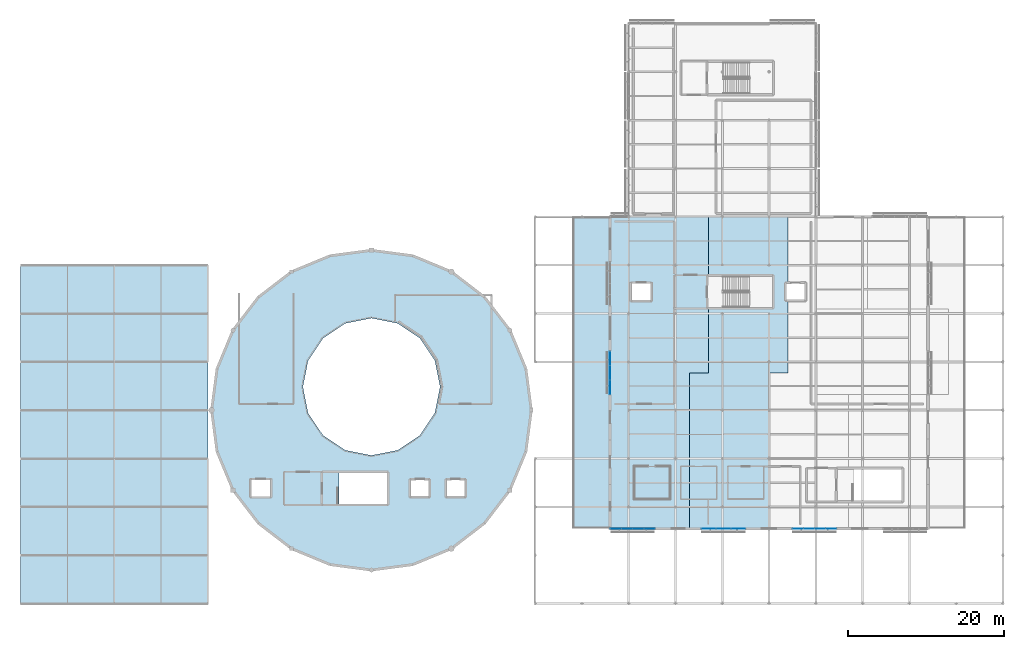
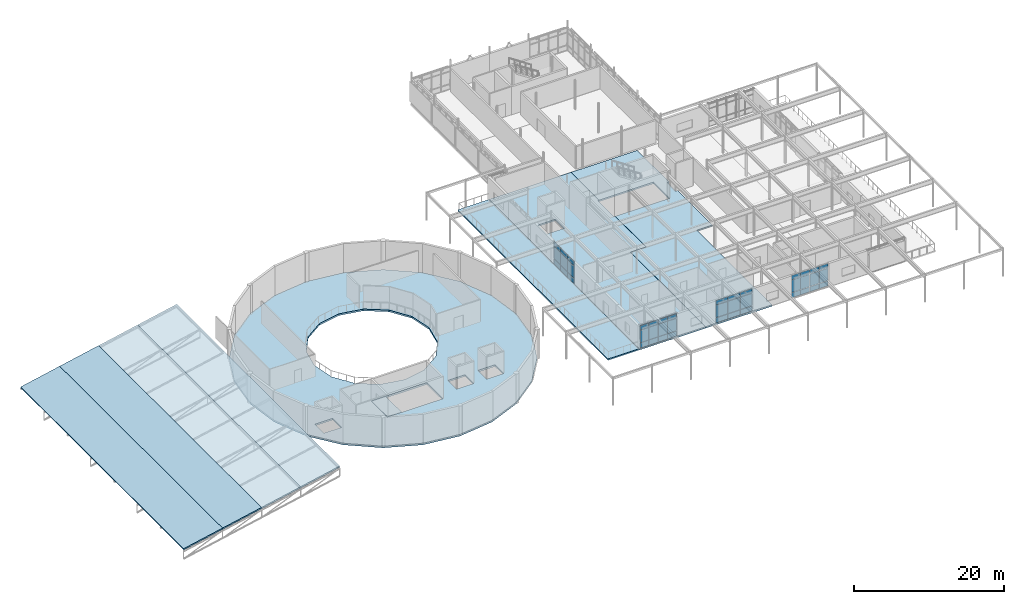
# One storey, part 36 of 48: 42 plates, 9 slabs, 4 elements without a shape of their own.
"""IFC4 building model written with IfcOpenShell, lengths in metres."""

from ifc_helpers import new_model, si_unit, direction, frame, origin, origin_2d, place, context, subcontext, project, spatial, polyline, rectangle, outline, extrude, material, layer, layer_set, type_object, element, aggregate, save


model = new_model("IFC4")

# Units and contexts
model_context = context("Model", 3, precision=1e-05, world=origin(), true_north=direction((0.0, 1.0)))
body_context = subcontext(model_context, "Body", "Model", "MODEL_VIEW")
ifc_project = project(units=[si_unit("LENGTHUNIT", "METRE"), si_unit("AREAUNIT", "SQUARE_METRE"), si_unit("VOLUMEUNIT", "CUBIC_METRE"), si_unit("PLANEANGLEUNIT", "RADIAN"), si_unit("MASSUNIT", "GRAM", prefix="KILO")], contexts=[model_context])

# Site, building, storey
site_placement = place(None, origin())
site = spatial("IfcSite", under=ifc_project, at=site_placement, CompositionType="ELEMENT")
building_placement = place(site_placement, origin())
building = spatial("IfcBuilding", under=site, at=building_placement, Name="Mirzam Square Science Centre", CompositionType="ELEMENT")
storey_placement = place(building_placement, frame((0.0, 0.0, 20.39990234375)))
storey = spatial("IfcBuildingStorey", under=building, at=storey_placement, Name="L04", CompositionType="ELEMENT", Elevation=20.39990234375)

# Curtain wall, plates
ifc_material_1 = material(Name="Anodised Aluminium and Low-E Solar Glass", Category="aluminium")
ifc_layer_1 = layer(ifc_material_1, 0.159912109375)
ifc_layer_set_1 = layer_set([ifc_layer_1], Name="CW-COURT-B")
curtain_wall_type_1 = type_object("IfcCurtainWallType", Name="CW-COURT-B", PredefinedType="USERDEFINED", material=ifc_layer_set_1)
curtain_wall_1_placement = place(storey_placement, origin())
curtain_wall_1 = element("IfcCurtainWall", 1, at=curtain_wall_1_placement, inside=storey, type_object=curtain_wall_type_1, Name="L04 unitised curtain wall 146", ObjectType="UNITISED CURTAIN WALL", PredefinedType="USERDEFINED")
ifc_material_2 = material(Name="Ceramic-Fritted Courtyard Solar Glass", Category="glass")
ifc_layer_2 = layer(ifc_material_2, 0.02392578125)
ifc_layer_set_2 = layer_set([ifc_layer_2], Name="CWP-GLZ-24")
plate_type_1 = type_object("IfcPlateType", Name="CWP-GLZ-24", PredefinedType="CURTAIN_PANEL", material=ifc_layer_set_2)
plate_1_placement = place(storey_placement, frame((112.384765625, 46.800048828125, 0.06005859375), z_axis=(0.0, 0.0, 1.0), x_axis=(1.0, 0.0, 0.0)))
plate_1 = element("IfcPlate", 2, at=plate_1_placement, type_object=plate_type_1, Name="CW-04 panel 1.1", PredefinedType="CURTAIN_PANEL", context=body_context, shape_type="SweptSolid", body=[
    extrude(rectangle(XDim=1.339599609375, YDim=0.02392578125, at=origin_2d()), origin(), (0.0, 0.0, 1.0), 0.81005859375),
])
plate_2_placement = place(storey_placement, frame((112.384765625, 46.800048828125, 0.93017578125), z_axis=(0.0, 0.0, 1.0), x_axis=(1.0, 0.0, 0.0)))
plate_2 = element("IfcPlate", 3, at=plate_2_placement, type_object=plate_type_1, Name="CW-04 panel 1.2", PredefinedType="CURTAIN_PANEL", context=body_context, shape_type="SweptSolid", body=[
    extrude(rectangle(XDim=1.339599609375, YDim=0.02392578125, at=origin_2d()), origin(), (0.0, 0.0, 1.0), 2.0),
])
plate_3_placement = place(storey_placement, frame((112.384765625, 46.800048828125, 2.990234375), z_axis=(0.0, 0.0, 1.0), x_axis=(1.0, 0.0, 0.0)))
plate_3 = element("IfcPlate", 4, at=plate_3_placement, type_object=plate_type_1, Name="CW-04 panel 1.3", PredefinedType="CURTAIN_PANEL", context=body_context, shape_type="SweptSolid", body=[
    extrude(rectangle(XDim=1.339599609375, YDim=0.02392578125, at=origin_2d()), origin(), (0.0, 0.0, 1.0), 0.7099609375),
])
plate_4_placement = place(storey_placement, frame((113.799560546875, 46.800048828125, 0.06005859375), z_axis=(0.0, 0.0, 1.0), x_axis=(1.0, 0.0, 0.0)))
plate_4 = element("IfcPlate", 5, at=plate_4_placement, type_object=plate_type_1, Name="CW-04 panel 2.1", PredefinedType="CURTAIN_PANEL", context=body_context, shape_type="SweptSolid", body=[
    extrude(rectangle(XDim=1.36962890625, YDim=0.02392578125, at=origin_2d()), origin(), (0.0, 0.0, 1.0), 0.81005859375),
])
plate_5_placement = place(storey_placement, frame((113.799560546875, 46.800048828125, 0.93017578125), z_axis=(0.0, 0.0, 1.0), x_axis=(1.0, 0.0, 0.0)))
plate_5 = element("IfcPlate", 6, at=plate_5_placement, type_object=plate_type_1, Name="CW-04 panel 2.2", PredefinedType="CURTAIN_PANEL", context=body_context, shape_type="SweptSolid", body=[
    extrude(rectangle(XDim=1.36962890625, YDim=0.02392578125, at=origin_2d()), origin(), (0.0, 0.0, 1.0), 2.0),
])
plate_6_placement = place(storey_placement, frame((113.799560546875, 46.800048828125, 2.990234375), z_axis=(0.0, 0.0, 1.0), x_axis=(1.0, 0.0, 0.0)))
plate_6 = element("IfcPlate", 7, at=plate_6_placement, type_object=plate_type_1, Name="CW-04 panel 2.3", PredefinedType="CURTAIN_PANEL", context=body_context, shape_type="SweptSolid", body=[
    extrude(rectangle(XDim=1.36962890625, YDim=0.02392578125, at=origin_2d()), origin(), (0.0, 0.0, 1.0), 0.7099609375),
])
plate_7_placement = place(storey_placement, frame((115.22900390625, 46.800048828125, 0.06005859375), z_axis=(0.0, 0.0, 1.0), x_axis=(1.0, 0.0, 0.0)))
plate_7 = element("IfcPlate", 8, at=plate_7_placement, type_object=plate_type_1, Name="CW-04 panel 3.1", PredefinedType="CURTAIN_PANEL", context=body_context, shape_type="SweptSolid", body=[
    extrude(rectangle(XDim=1.36962890625, YDim=0.02392578125, at=origin_2d()), origin(), (0.0, 0.0, 1.0), 0.81005859375),
])
plate_8_placement = place(storey_placement, frame((115.22900390625, 46.800048828125, 0.93017578125), z_axis=(0.0, 0.0, 1.0), x_axis=(1.0, 0.0, 0.0)))
plate_8 = element("IfcPlate", 9, at=plate_8_placement, type_object=plate_type_1, Name="CW-04 panel 3.2", PredefinedType="CURTAIN_PANEL", context=body_context, shape_type="SweptSolid", body=[
    extrude(rectangle(XDim=1.36962890625, YDim=0.02392578125, at=origin_2d()), origin(), (0.0, 0.0, 1.0), 2.0),
])
plate_9_placement = place(storey_placement, frame((115.22900390625, 46.800048828125, 2.990234375), z_axis=(0.0, 0.0, 1.0), x_axis=(1.0, 0.0, 0.0)))
plate_9 = element("IfcPlate", 10, at=plate_9_placement, type_object=plate_type_1, Name="CW-04 panel 3.3", PredefinedType="CURTAIN_PANEL", context=body_context, shape_type="SweptSolid", body=[
    extrude(rectangle(XDim=1.36962890625, YDim=0.02392578125, at=origin_2d()), origin(), (0.0, 0.0, 1.0), 0.7099609375),
])
plate_10_placement = place(storey_placement, frame((116.643798828125, 46.800048828125, 0.06005859375), z_axis=(0.0, 0.0, 1.0), x_axis=(1.0, 0.0, 0.0)))
plate_10 = element("IfcPlate", 11, at=plate_10_placement, type_object=plate_type_1, Name="CW-04 panel 4.1", PredefinedType="CURTAIN_PANEL", context=body_context, shape_type="SweptSolid", body=[
    extrude(rectangle(XDim=1.339599609375, YDim=0.02392578125, at=origin_2d()), origin(), (0.0, 0.0, 1.0), 0.81005859375),
])
plate_11_placement = place(storey_placement, frame((116.643798828125, 46.800048828125, 0.93017578125), z_axis=(0.0, 0.0, 1.0), x_axis=(1.0, 0.0, 0.0)))
plate_11 = element("IfcPlate", 12, at=plate_11_placement, type_object=plate_type_1, Name="CW-04 panel 4.2", PredefinedType="CURTAIN_PANEL", context=body_context, shape_type="SweptSolid", body=[
    extrude(rectangle(XDim=1.339599609375, YDim=0.02392578125, at=origin_2d()), origin(), (0.0, 0.0, 1.0), 2.0),
])
plate_12_placement = place(storey_placement, frame((116.643798828125, 46.800048828125, 2.990234375), z_axis=(0.0, 0.0, 1.0), x_axis=(1.0, 0.0, 0.0)))
plate_12 = element("IfcPlate", 13, at=plate_12_placement, type_object=plate_type_1, Name="CW-04 panel 4.3", PredefinedType="CURTAIN_PANEL", context=body_context, shape_type="SweptSolid", body=[
    extrude(rectangle(XDim=1.339599609375, YDim=0.02392578125, at=origin_2d()), origin(), (0.0, 0.0, 1.0), 0.7099609375),
])
aggregate(curtain_wall_1, [plate_1, plate_2, plate_3, plate_4, plate_5, plate_6, plate_7, plate_8, plate_9, plate_10, plate_11, plate_12])

ifc_layer_3 = layer(ifc_material_1, 0.239990234375)
ifc_layer_set_3 = layer_set([ifc_layer_3], Name="CW-EAST-B")
curtain_wall_type_2 = type_object("IfcCurtainWallType", Name="CW-EAST-B", PredefinedType="USERDEFINED", material=ifc_layer_set_3)
curtain_wall_2_placement = place(storey_placement, origin())
curtain_wall_2 = element("IfcCurtainWall", 14, at=curtain_wall_2_placement, inside=storey, type_object=curtain_wall_type_2, Name="L04 unitised curtain wall 147", ObjectType="UNITISED CURTAIN WALL", PredefinedType="USERDEFINED")
ifc_material_3 = material(Name="Double-Silver Low-E Insulated Solar Glass", Category="glass")
ifc_layer_4 = layer(ifc_material_3, 0.028076171875)
ifc_layer_set_4 = layer_set([ifc_layer_4], Name="CWP-GLZ-28")
plate_type_2 = type_object("IfcPlateType", Name="CWP-GLZ-28", PredefinedType="CURTAIN_PANEL", material=ifc_layer_set_4)
plate_13_placement = place(storey_placement, frame((124.283935546875, 46.800048828125, 0.074951171875), z_axis=(0.0, 0.0, 1.0), x_axis=(1.0, 0.0, 0.0)))
plate_13 = element("IfcPlate", 15, at=plate_13_placement, type_object=plate_type_2, Name="CW-06 panel 1.1", PredefinedType="CURTAIN_PANEL", context=body_context, shape_type="SweptSolid", body=[
    extrude(rectangle(XDim=1.793701171875, YDim=0.028076171875, at=origin_2d()), origin(), (0.0, 0.0, 1.0), 0.78759765625),
])
plate_14_placement = place(storey_placement, frame((124.283935546875, 46.800048828125, 0.9375), z_axis=(0.0, 0.0, 1.0), x_axis=(1.0, 0.0, 0.0)))
plate_14 = element("IfcPlate", 16, at=plate_14_placement, type_object=plate_type_2, Name="CW-06 panel 1.2", PredefinedType="CURTAIN_PANEL", context=body_context, shape_type="SweptSolid", body=[
    extrude(rectangle(XDim=1.793701171875, YDim=0.028076171875, at=origin_2d()), origin(), (0.0, 0.0, 1.0), 1.985107421875),
])
plate_15_placement = place(storey_placement, frame((124.283935546875, 46.800048828125, 2.99755859375), z_axis=(0.0, 0.0, 1.0), x_axis=(1.0, 0.0, 0.0)))
plate_15 = element("IfcPlate", 17, at=plate_15_placement, type_object=plate_type_2, Name="CW-06 panel 1.3", PredefinedType="CURTAIN_PANEL", context=body_context, shape_type="SweptSolid", body=[
    extrude(rectangle(XDim=1.793701171875, YDim=0.028076171875, at=origin_2d()), origin(), (0.0, 0.0, 1.0), 0.6875),
])
plate_16_placement = place(storey_placement, frame((126.17138671875, 46.800048828125, 0.074951171875), z_axis=(0.0, 0.0, 1.0), x_axis=(1.0, 0.0, 0.0)))
plate_16 = element("IfcPlate", 18, at=plate_16_placement, type_object=plate_type_2, Name="CW-06 panel 2.1", PredefinedType="CURTAIN_PANEL", context=body_context, shape_type="SweptSolid", body=[
    extrude(rectangle(XDim=1.831298828125, YDim=0.028076171875, at=origin_2d()), origin(), (0.0, 0.0, 1.0), 0.78759765625),
])
plate_17_placement = place(storey_placement, frame((126.17138671875, 46.800048828125, 0.9375), z_axis=(0.0, 0.0, 1.0), x_axis=(1.0, 0.0, 0.0)))
plate_17 = element("IfcPlate", 19, at=plate_17_placement, type_object=plate_type_2, Name="CW-06 panel 2.2", PredefinedType="CURTAIN_PANEL", context=body_context, shape_type="SweptSolid", body=[
    extrude(rectangle(XDim=1.831298828125, YDim=0.028076171875, at=origin_2d()), origin(), (0.0, 0.0, 1.0), 1.985107421875),
])
plate_18_placement = place(storey_placement, frame((126.17138671875, 46.800048828125, 2.99755859375), z_axis=(0.0, 0.0, 1.0), x_axis=(1.0, 0.0, 0.0)))
plate_18 = element("IfcPlate", 20, at=plate_18_placement, type_object=plate_type_2, Name="CW-06 panel 2.3", PredefinedType="CURTAIN_PANEL", context=body_context, shape_type="SweptSolid", body=[
    extrude(rectangle(XDim=1.831298828125, YDim=0.028076171875, at=origin_2d()), origin(), (0.0, 0.0, 1.0), 0.6875),
])
plate_19_placement = place(storey_placement, frame((128.058837890625, 46.800048828125, 0.074951171875), z_axis=(0.0, 0.0, 1.0), x_axis=(1.0, 0.0, 0.0)))
plate_19 = element("IfcPlate", 21, at=plate_19_placement, type_object=plate_type_2, Name="CW-06 panel 3.1", PredefinedType="CURTAIN_PANEL", context=body_context, shape_type="SweptSolid", body=[
    extrude(rectangle(XDim=1.793701171875, YDim=0.028076171875, at=origin_2d()), origin(), (0.0, 0.0, 1.0), 0.78759765625),
])
plate_20_placement = place(storey_placement, frame((128.058837890625, 46.800048828125, 0.9375), z_axis=(0.0, 0.0, 1.0), x_axis=(1.0, 0.0, 0.0)))
plate_20 = element("IfcPlate", 22, at=plate_20_placement, type_object=plate_type_2, Name="CW-06 panel 3.2", PredefinedType="CURTAIN_PANEL", context=body_context, shape_type="SweptSolid", body=[
    extrude(rectangle(XDim=1.793701171875, YDim=0.028076171875, at=origin_2d()), origin(), (0.0, 0.0, 1.0), 1.985107421875),
])
plate_21_placement = place(storey_placement, frame((128.058837890625, 46.800048828125, 2.99755859375), z_axis=(0.0, 0.0, 1.0), x_axis=(1.0, 0.0, 0.0)))
plate_21 = element("IfcPlate", 23, at=plate_21_placement, type_object=plate_type_2, Name="CW-06 panel 3.3", PredefinedType="CURTAIN_PANEL", context=body_context, shape_type="SweptSolid", body=[
    extrude(rectangle(XDim=1.793701171875, YDim=0.028076171875, at=origin_2d()), origin(), (0.0, 0.0, 1.0), 0.6875),
])
aggregate(curtain_wall_2, [plate_13, plate_14, plate_15, plate_16, plate_17, plate_18, plate_19, plate_20, plate_21])

curtain_wall_3_placement = place(storey_placement, origin())
curtain_wall_3 = element("IfcCurtainWall", 24, at=curtain_wall_3_placement, inside=storey, type_object=curtain_wall_type_2, Name="L04 unitised curtain wall 155", ObjectType="UNITISED CURTAIN WALL", PredefinedType="USERDEFINED")
plate_22_placement = place(storey_placement, frame((111.60009765625, 68.6494140625, 0.074951171875), z_axis=(0.0, 0.0, 1.0), x_axis=(0.0, -1.0, 0.0)))
plate_22 = element("IfcPlate", 25, at=plate_22_placement, type_object=plate_type_2, Name="CW-06 panel 1.1", PredefinedType="CURTAIN_PANEL", context=body_context, shape_type="SweptSolid", body=[
    extrude(rectangle(XDim=1.755615234375, YDim=0.028076171875, at=origin_2d()), origin(), (0.0, 0.0, 1.0), 0.78759765625),
])
plate_23_placement = place(storey_placement, frame((111.60009765625, 68.6494140625, 0.9375), z_axis=(0.0, 0.0, 1.0), x_axis=(0.0, -1.0, 0.0)))
plate_23 = element("IfcPlate", 26, at=plate_23_placement, type_object=plate_type_2, Name="CW-06 panel 1.2", PredefinedType="CURTAIN_PANEL", context=body_context, shape_type="SweptSolid", body=[
    extrude(rectangle(XDim=1.755615234375, YDim=0.028076171875, at=origin_2d()), origin(), (0.0, 0.0, 1.0), 1.985107421875),
])
plate_24_placement = place(storey_placement, frame((111.60009765625, 68.6494140625, 2.99755859375), z_axis=(0.0, 0.0, 1.0), x_axis=(0.0, -1.0, 0.0)))
plate_24 = element("IfcPlate", 27, at=plate_24_placement, type_object=plate_type_2, Name="CW-06 panel 1.3", PredefinedType="CURTAIN_PANEL", context=body_context, shape_type="SweptSolid", body=[
    extrude(rectangle(XDim=1.755615234375, YDim=0.028076171875, at=origin_2d()), origin(), (0.0, 0.0, 1.0), 0.6875),
])
plate_25_placement = place(storey_placement, frame((111.60009765625, 66.800048828125, 0.074951171875), z_axis=(0.0, 0.0, 1.0), x_axis=(0.0, -1.0, 0.0)))
plate_25 = element("IfcPlate", 28, at=plate_25_placement, type_object=plate_type_2, Name="CW-06 panel 2.1", PredefinedType="CURTAIN_PANEL", context=body_context, shape_type="SweptSolid", body=[
    extrude(rectangle(XDim=1.79296875, YDim=0.028076171875, at=origin_2d()), origin(), (0.0, 0.0, 1.0), 0.78759765625),
])
plate_26_placement = place(storey_placement, frame((111.60009765625, 66.800048828125, 0.9375), z_axis=(0.0, 0.0, 1.0), x_axis=(0.0, -1.0, 0.0)))
plate_26 = element("IfcPlate", 29, at=plate_26_placement, type_object=plate_type_2, Name="CW-06 panel 2.2", PredefinedType="CURTAIN_PANEL", context=body_context, shape_type="SweptSolid", body=[
    extrude(rectangle(XDim=1.79296875, YDim=0.028076171875, at=origin_2d()), origin(), (0.0, 0.0, 1.0), 1.985107421875),
])
plate_27_placement = place(storey_placement, frame((111.60009765625, 66.800048828125, 2.99755859375), z_axis=(0.0, 0.0, 1.0), x_axis=(0.0, -1.0, 0.0)))
plate_27 = element("IfcPlate", 30, at=plate_27_placement, type_object=plate_type_2, Name="CW-06 panel 2.3", PredefinedType="CURTAIN_PANEL", context=body_context, shape_type="SweptSolid", body=[
    extrude(rectangle(XDim=1.79296875, YDim=0.028076171875, at=origin_2d()), origin(), (0.0, 0.0, 1.0), 0.6875),
])
plate_28_placement = place(storey_placement, frame((111.60009765625, 64.95068359375, 0.074951171875), z_axis=(0.0, 0.0, 1.0), x_axis=(0.0, -1.0, 0.0)))
plate_28 = element("IfcPlate", 31, at=plate_28_placement, type_object=plate_type_2, Name="CW-06 panel 3.1", PredefinedType="CURTAIN_PANEL", context=body_context, shape_type="SweptSolid", body=[
    extrude(rectangle(XDim=1.755615234375, YDim=0.028076171875, at=origin_2d()), origin(), (0.0, 0.0, 1.0), 0.78759765625),
])
plate_29_placement = place(storey_placement, frame((111.60009765625, 64.95068359375, 0.9375), z_axis=(0.0, 0.0, 1.0), x_axis=(0.0, -1.0, 0.0)))
plate_29 = element("IfcPlate", 32, at=plate_29_placement, type_object=plate_type_2, Name="CW-06 panel 3.2", PredefinedType="CURTAIN_PANEL", context=body_context, shape_type="SweptSolid", body=[
    extrude(rectangle(XDim=1.755615234375, YDim=0.028076171875, at=origin_2d()), origin(), (0.0, 0.0, 1.0), 1.985107421875),
])
plate_30_placement = place(storey_placement, frame((111.60009765625, 64.95068359375, 2.99755859375), z_axis=(0.0, 0.0, 1.0), x_axis=(0.0, -1.0, 0.0)))
plate_30 = element("IfcPlate", 33, at=plate_30_placement, type_object=plate_type_2, Name="CW-06 panel 3.3", PredefinedType="CURTAIN_PANEL", context=body_context, shape_type="SweptSolid", body=[
    extrude(rectangle(XDim=1.755615234375, YDim=0.028076171875, at=origin_2d()), origin(), (0.0, 0.0, 1.0), 0.6875),
])
aggregate(curtain_wall_3, [plate_22, plate_23, plate_24, plate_25, plate_26, plate_27, plate_28, plate_29, plate_30])

ifc_layer_5 = layer(ifc_material_1, 0.179931640625)
ifc_layer_set_5 = layer_set([ifc_layer_5], Name="CW-LINK-A")
curtain_wall_type_3 = type_object("IfcCurtainWallType", Name="CW-LINK-A", PredefinedType="USERDEFINED", material=ifc_layer_set_5)
curtain_wall_4_placement = place(storey_placement, origin())
curtain_wall_4 = element("IfcCurtainWall", 34, at=curtain_wall_4_placement, inside=storey, type_object=curtain_wall_type_3, Name="L04 unitised curtain wall 148", ObjectType="UNITISED CURTAIN WALL", PredefinedType="USERDEFINED")
ifc_material_4 = material(Name="Laminated Low-Iron Observatory Solar Glass", Category="glass")
ifc_layer_6 = layer(ifc_material_4, 0.035888671875)
ifc_layer_set_6 = layer_set([ifc_layer_6], Name="CWP-GLZ-36")
plate_type_3 = type_object("IfcPlateType", Name="CWP-GLZ-36", PredefinedType="CURTAIN_PANEL", material=ifc_layer_set_6)
plate_31_placement = place(storey_placement, frame((135.700439453125, 46.800048828125, 0.06494140625), z_axis=(0.0, 0.0, 1.0), x_axis=(1.0, 0.0, 0.0)))
plate_31 = element("IfcPlate", 35, at=plate_31_placement, type_object=plate_type_3, Name="CW-08 panel 1.1", PredefinedType="CURTAIN_PANEL", context=body_context, shape_type="SweptSolid", body=[
    extrude(rectangle(XDim=1.33203125, YDim=0.035888671875, at=origin_2d()), origin(), (0.0, 0.0, 1.0), 0.802490234375),
])
plate_32_placement = place(storey_placement, frame((135.700439453125, 46.800048828125, 0.9326171875), z_axis=(0.0, 0.0, 1.0), x_axis=(1.0, 0.0, 0.0)))
plate_32 = element("IfcPlate", 36, at=plate_32_placement, type_object=plate_type_3, Name="CW-08 panel 1.2", PredefinedType="CURTAIN_PANEL", context=body_context, shape_type="SweptSolid", body=[
    extrude(rectangle(XDim=1.33203125, YDim=0.035888671875, at=origin_2d()), origin(), (0.0, 0.0, 1.0), 1.9951171875),
])
plate_33_placement = place(storey_placement, frame((135.700439453125, 46.800048828125, 2.99267578125), z_axis=(0.0, 0.0, 1.0), x_axis=(1.0, 0.0, 0.0)))
plate_33 = element("IfcPlate", 37, at=plate_33_placement, type_object=plate_type_3, Name="CW-08 panel 1.3", PredefinedType="CURTAIN_PANEL", context=body_context, shape_type="SweptSolid", body=[
    extrude(rectangle(XDim=1.33203125, YDim=0.035888671875, at=origin_2d()), origin(), (0.0, 0.0, 1.0), 0.702392578125),
])
plate_34_placement = place(storey_placement, frame((137.11376953125, 46.800048828125, 0.06494140625), z_axis=(0.0, 0.0, 1.0), x_axis=(1.0, 0.0, 0.0)))
plate_34 = element("IfcPlate", 38, at=plate_34_placement, type_object=plate_type_3, Name="CW-08 panel 2.1", PredefinedType="CURTAIN_PANEL", context=body_context, shape_type="SweptSolid", body=[
    extrude(rectangle(XDim=1.36474609375, YDim=0.035888671875, at=origin_2d()), origin(), (0.0, 0.0, 1.0), 0.802490234375),
])
plate_35_placement = place(storey_placement, frame((137.11376953125, 46.800048828125, 0.9326171875), z_axis=(0.0, 0.0, 1.0), x_axis=(1.0, 0.0, 0.0)))
plate_35 = element("IfcPlate", 39, at=plate_35_placement, type_object=plate_type_3, Name="CW-08 panel 2.2", PredefinedType="CURTAIN_PANEL", context=body_context, shape_type="SweptSolid", body=[
    extrude(rectangle(XDim=1.36474609375, YDim=0.035888671875, at=origin_2d()), origin(), (0.0, 0.0, 1.0), 1.9951171875),
])
plate_36_placement = place(storey_placement, frame((137.11376953125, 46.800048828125, 2.99267578125), z_axis=(0.0, 0.0, 1.0), x_axis=(1.0, 0.0, 0.0)))
plate_36 = element("IfcPlate", 40, at=plate_36_placement, type_object=plate_type_3, Name="CW-08 panel 2.3", PredefinedType="CURTAIN_PANEL", context=body_context, shape_type="SweptSolid", body=[
    extrude(rectangle(XDim=1.36474609375, YDim=0.035888671875, at=origin_2d()), origin(), (0.0, 0.0, 1.0), 0.702392578125),
])
plate_37_placement = place(storey_placement, frame((138.54345703125, 46.800048828125, 0.06494140625), z_axis=(0.0, 0.0, 1.0), x_axis=(1.0, 0.0, 0.0)))
plate_37 = element("IfcPlate", 41, at=plate_37_placement, type_object=plate_type_3, Name="CW-08 panel 3.1", PredefinedType="CURTAIN_PANEL", context=body_context, shape_type="SweptSolid", body=[
    extrude(rectangle(XDim=1.36474609375, YDim=0.035888671875, at=origin_2d()), origin(), (0.0, 0.0, 1.0), 0.802490234375),
])
plate_38_placement = place(storey_placement, frame((138.54345703125, 46.800048828125, 0.9326171875), z_axis=(0.0, 0.0, 1.0), x_axis=(1.0, 0.0, 0.0)))
plate_38 = element("IfcPlate", 42, at=plate_38_placement, type_object=plate_type_3, Name="CW-08 panel 3.2", PredefinedType="CURTAIN_PANEL", context=body_context, shape_type="SweptSolid", body=[
    extrude(rectangle(XDim=1.36474609375, YDim=0.035888671875, at=origin_2d()), origin(), (0.0, 0.0, 1.0), 1.9951171875),
])
plate_39_placement = place(storey_placement, frame((138.54345703125, 46.800048828125, 2.99267578125), z_axis=(0.0, 0.0, 1.0), x_axis=(1.0, 0.0, 0.0)))
plate_39 = element("IfcPlate", 43, at=plate_39_placement, type_object=plate_type_3, Name="CW-08 panel 3.3", PredefinedType="CURTAIN_PANEL", context=body_context, shape_type="SweptSolid", body=[
    extrude(rectangle(XDim=1.36474609375, YDim=0.035888671875, at=origin_2d()), origin(), (0.0, 0.0, 1.0), 0.702392578125),
])
plate_40_placement = place(storey_placement, frame((139.956787109375, 46.800048828125, 0.06494140625), z_axis=(0.0, 0.0, 1.0), x_axis=(1.0, 0.0, 0.0)))
plate_40 = element("IfcPlate", 44, at=plate_40_placement, type_object=plate_type_3, Name="CW-08 panel 4.1", PredefinedType="CURTAIN_PANEL", context=body_context, shape_type="SweptSolid", body=[
    extrude(rectangle(XDim=1.33203125, YDim=0.035888671875, at=origin_2d()), origin(), (0.0, 0.0, 1.0), 0.802490234375),
])
plate_41_placement = place(storey_placement, frame((139.956787109375, 46.800048828125, 0.9326171875), z_axis=(0.0, 0.0, 1.0), x_axis=(1.0, 0.0, 0.0)))
plate_41 = element("IfcPlate", 45, at=plate_41_placement, type_object=plate_type_3, Name="CW-08 panel 4.2", PredefinedType="CURTAIN_PANEL", context=body_context, shape_type="SweptSolid", body=[
    extrude(rectangle(XDim=1.33203125, YDim=0.035888671875, at=origin_2d()), origin(), (0.0, 0.0, 1.0), 1.9951171875),
])
plate_42_placement = place(storey_placement, frame((139.956787109375, 46.800048828125, 2.99267578125), z_axis=(0.0, 0.0, 1.0), x_axis=(1.0, 0.0, 0.0)))
plate_42 = element("IfcPlate", 46, at=plate_42_placement, type_object=plate_type_3, Name="CW-08 panel 4.3", PredefinedType="CURTAIN_PANEL", context=body_context, shape_type="SweptSolid", body=[
    extrude(rectangle(XDim=1.33203125, YDim=0.035888671875, at=origin_2d()), origin(), (0.0, 0.0, 1.0), 0.702392578125),
])
aggregate(curtain_wall_4, [plate_31, plate_32, plate_33, plate_34, plate_35, plate_36, plate_37, plate_38, plate_39, plate_40, plate_41, plate_42])

# Slabs
ifc_material_5 = material(Name="Concrete C45/55", Category="concrete")
ifc_layer_7 = layer(ifc_material_5, 0.280029296875)
ifc_layer_set_7 = layer_set([ifc_layer_7], Name="SL-DRUM-280")
slab_type_1 = type_object("IfcSlabType", Name="SL-DRUM-280", PredefinedType="FLOOR", material=ifc_layer_set_7)
slab_1_placement = place(storey_placement, frame((0.0, 0.0, -0.27978515625)))
element("IfcSlab", 47, at=slab_1_placement, inside=storey, type_object=slab_type_1, Name="L04 drum slab", PredefinedType="FLOOR", context=body_context, shape_type="SweptSolid", body=[
    extrude(outline(polyline([(100.801513671875, 56.694091796875), (98.75341796875, 51.75), (95.49560546875, 47.50439453125), (91.25, 44.24658203125), (86.305908203125, 42.198486328125), (81.0, 41.5), (75.694091796875, 42.198486328125), (70.75, 44.24658203125), (66.50439453125, 47.50439453125), (63.24658203125, 51.75), (61.198486328125, 56.694091796875), (60.5, 62.0), (61.198486328125, 67.305908203125), (63.24658203125, 72.25), (66.50439453125, 76.49560546875), (70.75, 79.75341796875), (75.694091796875, 81.801513671875), (81.0, 82.5), (86.305908203125, 81.801513671875), (91.25, 79.75341796875), (95.49560546875, 76.49560546875), (98.75341796875, 72.25), (100.801513671875, 67.305908203125), (101.5, 62.0), (100.801513671875, 56.694091796875)]), holes=[polyline([(83.159912109375, 54.090087890625), (74.639892578125, 54.090087890625), (74.639892578125, 49.840087890625), (83.159912109375, 49.840087890625), (83.159912109375, 54.090087890625)]), polyline([(68.14990234375, 53.199951171875), (65.449951171875, 53.199951171875), (65.449951171875, 50.800048828125), (68.14990234375, 50.800048828125), (68.14990234375, 53.199951171875)]), polyline([(88.5, 53.14990234375), (85.89990234375, 53.14990234375), (85.89990234375, 50.85009765625), (88.5, 50.85009765625), (88.5, 53.14990234375)]), polyline([(93.10009765625, 50.85009765625), (93.10009765625, 53.14990234375), (90.5, 53.14990234375), (90.5, 50.85009765625), (93.10009765625, 50.85009765625)]), polyline([(87.222412109375, 58.777587890625), (89.130126953125, 61.63232421875), (89.800048828125, 65.0), (89.130126953125, 68.36767578125), (87.222412109375, 71.222412109375), (84.36767578125, 73.130126953125), (81.0, 73.800048828125), (77.63232421875, 73.130126953125), (74.777587890625, 71.222412109375), (72.869873046875, 68.36767578125), (72.199951171875, 65.0), (72.869873046875, 61.63232421875), (74.777587890625, 58.777587890625), (77.63232421875, 56.869873046875), (81.0, 56.199951171875), (84.36767578125, 56.869873046875), (87.222412109375, 58.777587890625)])]), origin(), (0.0, 0.0, 1.0), 0.27978515625),
])
ifc_material_6 = material(Name="Concrete C40/50", Category="concrete")
ifc_layer_8 = layer(ifc_material_6, 0.25)
ifc_layer_set_8 = layer_set([ifc_layer_8], Name="SL-LAB-250")
slab_type_2 = type_object("IfcSlabType", Name="SL-LAB-250", PredefinedType="FLOOR", material=ifc_layer_set_8)
slab_2_placement = place(storey_placement, frame((0.0, 0.0, -0.25)))
element("IfcSlab", 48, at=slab_2_placement, inside=storey, type_object=slab_type_2, Name="L04 east 1 slab", PredefinedType="FLOOR", context=body_context, shape_type="SweptSolid", body=[
    extrude(outline(polyline([(121.800048828125, 66.800048828125), (121.800048828125, 46.800048828125), (111.60009765625, 46.800048828125), (111.60009765625, 86.800048828125), (124.199951171875, 86.800048828125), (124.199951171875, 79.330078125), (124.0400390625, 79.330078125), (124.0400390625, 75.0400390625), (124.199951171875, 75.0400390625), (124.199951171875, 66.800048828125), (121.800048828125, 66.800048828125)]), holes=[polyline([(116.949951171875, 78.39990234375), (114.25, 78.39990234375), (114.25, 76.0), (116.949951171875, 76.0), (116.949951171875, 78.39990234375)])]), origin(), (0.0, 0.0, 1.0), 0.25),
])
slab_3_placement = place(storey_placement, frame((0.0, 0.0, -0.25)))
element("IfcSlab", 49, at=slab_3_placement, inside=storey, type_object=slab_type_2, Name="L04 east 2 slab", PredefinedType="FLOOR", context=body_context, shape_type="SweptSolid", body=[
    extrude(outline(polyline([(132.0, 66.800048828125), (132.0, 46.800048828125), (121.804931640625, 46.800048828125), (121.804931640625, 66.794921875), (124.205078125, 66.794921875), (124.205078125, 75.0400390625), (132.56005859375, 75.0400390625), (132.56005859375, 79.330078125), (124.205078125, 79.330078125), (124.205078125, 86.800048828125), (134.39990234375, 86.800048828125), (134.39990234375, 78.35009765625), (134.10009765625, 78.35009765625), (134.10009765625, 76.050048828125), (134.39990234375, 76.050048828125), (134.39990234375, 66.800048828125), (132.0, 66.800048828125)])), origin(), (0.0, 0.0, 1.0), 0.25),
])
ifc_layer_9 = layer(ifc_material_6, 0.199951171875)
ifc_layer_set_9 = layer_set([ifc_layer_9], Name="SL-LANDING-200")
slab_type_3 = type_object("IfcSlabType", Name="SL-LANDING-200", PredefinedType="LANDING", material=ifc_layer_set_9)
slab_4_placement = place(storey_placement, frame((0.0, 0.0, -0.199951171875)))
element("IfcSlab", 50, at=slab_4_placement, inside=storey, type_object=slab_type_3, Name="L04 CORE-3 floor landing", PredefinedType="LANDING", context=body_context, shape_type="SweptSolid", body=[
    extrude(outline(polyline([(76.840087890625, 49.844970703125), (74.64501953125, 49.844970703125), (74.64501953125, 54.0849609375), (76.840087890625, 54.0849609375), (76.840087890625, 49.844970703125)])), origin(), (0.0, 0.0, 1.0), 0.199951171875),
])
ifc_layer_10 = layer(ifc_material_6, 0.219970703125)
ifc_layer_set_10 = layer_set([ifc_layer_10], Name="SL-TERR-220")
slab_type_4 = type_object("IfcSlabType", Name="SL-TERR-220", PredefinedType="FLOOR", material=ifc_layer_set_10)
slab_5_placement = place(storey_placement, frame((0.0, 0.0, -0.219970703125)))
element("IfcSlab", 51, at=slab_5_placement, inside=storey, type_object=slab_type_4, Name="L04 step terrace slab", PredefinedType="FLOOR", context=body_context, shape_type="SweptSolid", body=[
    extrude(outline(polyline([(106.800048828125, 86.800048828125), (111.594970703125, 86.800048828125), (111.594970703125, 46.800048828125), (106.800048828125, 46.800048828125), (106.800048828125, 86.800048828125)])), origin(), (0.0, 0.0, 1.0), 0.219970703125),
])
ifc_material_7 = material(Name="Zinc-Clad Insulated Concrete Deck C40/50", Category="concrete")
ifc_layer_11 = layer(ifc_material_7, 0.2099609375)
ifc_layer_set_11 = layer_set([ifc_layer_11], Name="SL-WEDGE-ROOF-210")
slab_type_5 = type_object("IfcSlabType", Name="SL-WEDGE-ROOF-210", PredefinedType="ROOF", material=ifc_layer_set_11)
for number, where, z_axis, x_axis, name in (
    (52, (36.0, 37.199951171875, -0.239990234375), (-0.205518759868, 0.0, 0.978653176229), (0.978653176229, 0.0, 0.205518759868), "West exhibition wedge sloped roof bay 07"),
    (53, (42.0, 37.199951171875, 1.02001953125), (-0.205518759868, 0.0, 0.978653176229), (0.978653176229, 0.0, 0.205518759868), "West exhibition wedge sloped roof bay 08"),
    (54, (48.0, 37.199951171875, 2.280029296875), (-0.205518759868, 0.0, 0.978653176229), (0.978653176229, 0.0, 0.205518759868), "West exhibition wedge sloped roof bay 09"),
    (55, (54.0, 37.199951171875, 3.5400390625), (-0.205518759868, 0.0, 0.978653176229), (0.978653176229, 0.0, 0.205518759868), "West exhibition wedge sloped roof bay 10"),
):
    element("IfcSlab", number, at=place(storey_placement, frame(where, z_axis=z_axis, x_axis=x_axis)), inside=storey, type_object=slab_type_5, Name=name, PredefinedType="ROOF", context=body_context, shape_type="SweptSolid", body=[
        extrude(outline(polyline([(0.0, 0.0), (6.130874701824395, 0.0), (6.130874701824395, 43.40014648437499), (0.0, 43.40014648437499), (0.0, 0.0)])), origin(), (0.0, 0.0, -1.0), 0.2099609375),
    ])

save(model, "model.ifc")
